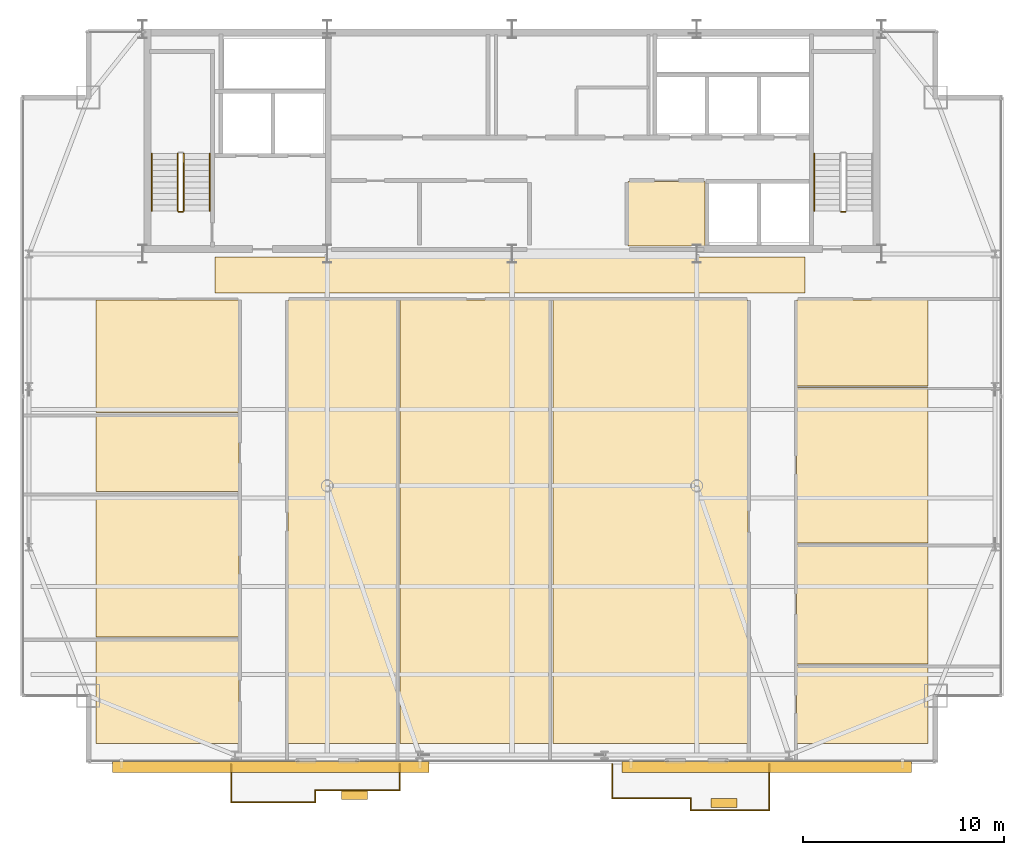
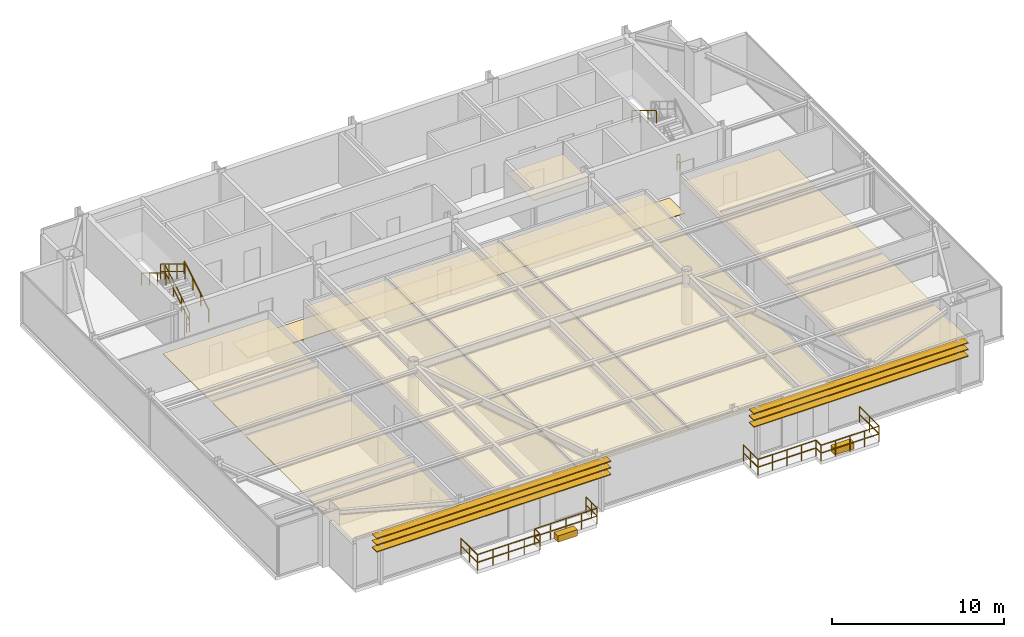
# One storey, part 29 of 30: 17 railings, 15 coverings, 6 shading devices.
"""IFC4 building model written with IfcOpenShell, lengths in metres."""

from ifc_helpers import new_model, si_unit, direction, frame, origin, origin_2d, place, context, subcontext, project, spatial, polyline, rectangle, outline, extrude, source, transform, mapped, material, layer, layer_set, type_object, type_shapes, element, save


model = new_model("IFC4")

# Units and contexts
model_context = context("Model", 3, precision=1e-05, world=origin(), true_north=direction((0.0, 1.0)))
body_context = subcontext(model_context, "Body", "Model", "MODEL_VIEW")
ifc_project = project(units=[si_unit("LENGTHUNIT", "METRE"), si_unit("AREAUNIT", "SQUARE_METRE"), si_unit("VOLUMEUNIT", "CUBIC_METRE"), si_unit("PLANEANGLEUNIT", "RADIAN"), si_unit("MASSUNIT", "GRAM", prefix="KILO")], contexts=[model_context])

# Site, building, storey
site_placement = place(None, origin())
site = spatial("IfcSite", under=ifc_project, at=site_placement, CompositionType="ELEMENT")
building_placement = place(site_placement, origin())
building = spatial("IfcBuilding", under=site, at=building_placement, Name="Varnel Quay Broadcast Tower", CompositionType="ELEMENT")
storey_placement = place(building_placement, frame((0.0, 0.0, 211.199951171875)))
storey = spatial("IfcBuildingStorey", under=building, at=storey_placement, Name="L52", CompositionType="ELEMENT", Elevation=211.199951171875)

# Coverings
ifc_material_1 = material(Name="Micro-Perforated Acoustic Ceiling Tile")
ifc_layer_1 = layer(ifc_material_1, 0.0400390625, Name="Micro-Perforated Acoustic Ceiling Tile")
ifc_layer_set_1 = layer_set([ifc_layer_1], Name="Micro-Perforated Acoustic Ceiling Tile")
covering_type_1 = type_object("IfcCoveringType", Name="Cov_AcousticCeiling", PredefinedType="CEILING", material=ifc_layer_set_1)
covering_1_placement = place(storey_placement, frame((0.0, 0.0, 2.580078125)))
element("IfcCovering", 1, at=covering_1_placement, inside=storey, type_object=covering_type_1, Name="L52 Electrical Sub-Distribution Closet Acoustic Ceiling", PredefinedType="CEILING", context=body_context, shape_type="SweptSolid", body=[
    extrude(outline(polyline([(39.784912109375, 35.985107421875), (43.614990234375, 35.985107421875), (43.614990234375, 39.215087890625), (39.784912109375, 39.215087890625), (39.784912109375, 35.985107421875)])), origin(), (0.0, 0.0, 1.0), 0.0400390625),
])
covering_2_placement = place(storey_placement, frame((0.0, 0.0, 2.580078125)))
element("IfcCovering", 2, at=covering_2_placement, inside=storey, type_object=covering_type_1, Name="L52 Editorial Boardroom 1 Acoustic Ceiling", PredefinedType="CEILING", context=body_context, shape_type="SweptSolid", body=[
    extrude(outline(polyline([(13.284912109375, 11.22509765625), (20.4150390625, 11.22509765625), (20.4150390625, 16.455078125), (13.284912109375, 16.455078125), (13.284912109375, 11.22509765625)])), origin(), (0.0, 0.0, 1.0), 0.0400390625),
])
covering_3_placement = place(storey_placement, frame((0.0, 0.0, 2.580078125)))
element("IfcCovering", 3, at=covering_3_placement, inside=storey, type_object=covering_type_1, Name="L52 Break Kitchen 2 Acoustic Ceiling", PredefinedType="CEILING", context=body_context, shape_type="SweptSolid", body=[
    extrude(outline(polyline([(13.284912109375, 16.52490234375), (20.4150390625, 16.52490234375), (20.4150390625, 23.695068359375), (13.284912109375, 23.695068359375), (13.284912109375, 16.52490234375)])), origin(), (0.0, 0.0, 1.0), 0.0400390625),
])
covering_4_placement = place(storey_placement, frame((0.0, 0.0, 2.580078125)))
element("IfcCovering", 4, at=covering_4_placement, inside=storey, type_object=covering_type_1, Name="L52 Press Green Lounge 3 Acoustic Ceiling", PredefinedType="CEILING", context=body_context, shape_type="SweptSolid", body=[
    extrude(outline(polyline([(13.284912109375, 23.764892578125), (20.4150390625, 23.764892578125), (20.4150390625, 27.625), (13.284912109375, 27.625), (13.284912109375, 23.764892578125)])), origin(), (0.0, 0.0, 1.0), 0.0400390625),
])
covering_5_placement = place(storey_placement, frame((0.0, 0.0, 2.580078125)))
element("IfcCovering", 5, at=covering_5_placement, inside=storey, type_object=covering_type_1, Name="L52 Camera Locker Store 4 Acoustic Ceiling", PredefinedType="CEILING", context=body_context, shape_type="SweptSolid", body=[
    extrude(outline(polyline([(13.284912109375, 27.695068359375), (20.4150390625, 27.695068359375), (20.4150390625, 33.31494140625), (13.284912109375, 33.31494140625), (13.284912109375, 27.695068359375)])), origin(), (0.0, 0.0, 1.0), 0.0400390625),
])
covering_6_placement = place(storey_placement, frame((0.0, 0.0, 2.580078125)))
element("IfcCovering", 6, at=covering_6_placement, inside=storey, type_object=covering_type_1, Name="L52 Broadcast Newsroom 5 Acoustic Ceiling", PredefinedType="CEILING", context=body_context, shape_type="SweptSolid", body=[
    extrude(outline(polyline([(22.8349609375, 11.22509765625), (28.364990234375, 11.22509765625), (28.364990234375, 33.31494140625), (22.8349609375, 33.31494140625), (22.8349609375, 11.22509765625)])), origin(), (0.0, 0.0, 1.0), 0.0400390625),
])
covering_7_placement = place(storey_placement, frame((0.0, 0.0, 2.580078125)))
element("IfcCovering", 7, at=covering_7_placement, inside=storey, type_object=covering_type_1, Name="L52 Assignment Desk 6 Acoustic Ceiling", PredefinedType="CEILING", context=body_context, shape_type="SweptSolid", body=[
    extrude(outline(polyline([(28.43505859375, 11.22509765625), (35.965087890625, 11.22509765625), (35.965087890625, 33.31494140625), (28.43505859375, 33.31494140625), (28.43505859375, 11.22509765625)])), origin(), (0.0, 0.0, 1.0), 0.0400390625),
])
covering_8_placement = place(storey_placement, frame((0.0, 0.0, 2.580078125)))
element("IfcCovering", 8, at=covering_8_placement, inside=storey, type_object=covering_type_1, Name="L52 Editorial Boardroom 7 Acoustic Ceiling", PredefinedType="CEILING", context=body_context, shape_type="SweptSolid", body=[
    extrude(outline(polyline([(36.034912109375, 11.22509765625), (45.7548828125, 11.22509765625), (45.7548828125, 33.31494140625), (36.034912109375, 33.31494140625), (36.034912109375, 11.22509765625)])), origin(), (0.0, 0.0, 1.0), 0.0400390625),
])
covering_9_placement = place(storey_placement, frame((0.0, 0.0, 2.580078125)))
element("IfcCovering", 9, at=covering_9_placement, inside=storey, type_object=covering_type_1, Name="L52 Break Kitchen 8 Acoustic Ceiling", PredefinedType="CEILING", context=body_context, shape_type="SweptSolid", body=[
    extrude(outline(polyline([(48.175048828125, 11.22509765625), (54.715087890625, 11.22509765625), (54.715087890625, 15.114990234375), (48.175048828125, 15.114990234375), (48.175048828125, 11.22509765625)])), origin(), (0.0, 0.0, 1.0), 0.0400390625),
])
covering_10_placement = place(storey_placement, frame((0.0, 0.0, 2.580078125)))
element("IfcCovering", 10, at=covering_10_placement, inside=storey, type_object=covering_type_1, Name="L52 Press Green Lounge 9 Acoustic Ceiling", PredefinedType="CEILING", context=body_context, shape_type="SweptSolid", body=[
    extrude(outline(polyline([(48.175048828125, 15.18505859375), (54.715087890625, 15.18505859375), (54.715087890625, 21.14501953125), (48.175048828125, 21.14501953125), (48.175048828125, 15.18505859375)])), origin(), (0.0, 0.0, 1.0), 0.0400390625),
])
covering_11_placement = place(storey_placement, frame((0.0, 0.0, 2.580078125)))
element("IfcCovering", 11, at=covering_11_placement, inside=storey, type_object=covering_type_1, Name="L52 Camera Locker Store 10 Acoustic Ceiling", PredefinedType="CEILING", context=body_context, shape_type="SweptSolid", body=[
    extrude(outline(polyline([(48.175048828125, 21.215087890625), (54.715087890625, 21.215087890625), (54.715087890625, 28.965087890625), (48.175048828125, 28.965087890625), (48.175048828125, 21.215087890625)])), origin(), (0.0, 0.0, 1.0), 0.0400390625),
])
covering_12_placement = place(storey_placement, frame((0.0, 0.0, 2.580078125)))
element("IfcCovering", 12, at=covering_12_placement, inside=storey, type_object=covering_type_1, Name="L52 Broadcast Newsroom 11 Acoustic Ceiling", PredefinedType="CEILING", context=body_context, shape_type="SweptSolid", body=[
    extrude(outline(polyline([(48.175048828125, 29.034912109375), (54.715087890625, 29.034912109375), (54.715087890625, 33.31494140625), (48.175048828125, 33.31494140625), (48.175048828125, 29.034912109375)])), origin(), (0.0, 0.0, 1.0), 0.0400390625),
])
ifc_material_2 = material(Name="Polished Terrazzo & Broadcast Raised Flooring")
ifc_layer_2 = layer(ifc_material_2, 0.0400390625, Name="Polished Terrazzo & Broadcast Raised Flooring")
ifc_layer_set_2 = layer_set([ifc_layer_2], Name="Polished Terrazzo & Broadcast Raised Flooring")
covering_type_2 = type_object("IfcCoveringType", Name="Cov_TerrazzoFloor", PredefinedType="FLOORING", material=ifc_layer_set_2)
covering_13_placement = place(storey_placement, origin())
element("IfcCovering", 13, at=covering_13_placement, inside=storey, type_object=covering_type_2, Name="L52 Corridor Terrazzo Flooring", PredefinedType="FLOORING", context=body_context, shape_type="SweptSolid", body=[
    extrude(outline(polyline([(19.199951171875, 33.64990234375), (48.60009765625, 33.64990234375), (48.60009765625, 35.449951171875), (19.199951171875, 35.449951171875), (19.199951171875, 33.64990234375)])), origin(), (0.0, 0.0, 1.0), 0.0400390625),
])

# Railings
ifc_material_3 = material(Name="Anodised Bronze Aluminium 6063-T6", Category="aluminium")
railing_type_1 = type_object("IfcRailingType", Name="Rail_Balustrade1150", PredefinedType="BALUSTRADE", material=ifc_material_3)
railing_1_placement = place(storey_placement, frame((20.010009765625, 8.297119140625, 0.0)))
element("IfcRailing", 14, at=railing_1_placement, inside=storey, type_object=railing_type_1, Name="L52 Terrace 1 Guard 1", PredefinedType="BALUSTRADE", context=body_context, shape_type="SweptSolid", body=[
    extrude(rectangle(XDim=0.048095703125, YDim=0.048095703125, at=origin_2d()), frame((0.0, 0.0, 1.1259765625), z_axis=(1.0, 0.0, 0.0), x_axis=(0.0, 1.0, 0.0)), (0.0, 0.0, 1.0), 4.199951171875),
    extrude(rectangle(XDim=0.048095703125, YDim=0.048095703125, at=origin_2d()), frame((0.0, 0.0, 0.574951171875), z_axis=(1.0, 0.0, 0.0), x_axis=(0.0, 1.0, 0.0)), (0.0, 0.0, 1.0), 4.199951171875),
    extrude(rectangle(XDim=0.0419921875, YDim=0.0419921875, at=origin_2d()), origin(), (0.0, 0.0, 1.0), 1.101806640625),
    extrude(rectangle(XDim=0.0419921875, YDim=0.0419921875, at=origin_2d()), frame((1.050048828125, 0.0, 0.0)), (0.0, 0.0, 1.0), 1.101806640625),
    extrude(rectangle(XDim=0.0419921875, YDim=0.0419921875, at=origin_2d()), frame((2.10009765625, 0.0, 0.0)), (0.0, 0.0, 1.0), 1.101806640625),
    extrude(rectangle(XDim=0.0419921875, YDim=0.0419921875, at=origin_2d()), frame((3.14990234375, 0.0, 0.0)), (0.0, 0.0, 1.0), 1.101806640625),
    extrude(rectangle(XDim=0.0419921875, YDim=0.0419921875, at=origin_2d()), frame((4.199951171875, 0.0, 0.0)), (0.0, 0.0, 1.0), 1.101806640625),
])
railing_2_placement = place(storey_placement, frame((24.2099609375, 8.297119140625, 0.0)))
element("IfcRailing", 15, at=railing_2_placement, inside=storey, type_object=railing_type_1, Name="L52 Terrace 1 Guard 2", PredefinedType="BALUSTRADE", context=body_context, shape_type="SweptSolid", body=[
    extrude(rectangle(XDim=0.048095703125, YDim=0.048095703125, at=origin_2d()), frame((0.0, 0.0, 1.1259765625), z_axis=(0.0, 1.0, 0.0), x_axis=(-1.0, 0.0, 0.0)), (0.0, 0.0, 1.0), 0.599853515625),
    extrude(rectangle(XDim=0.048095703125, YDim=0.048095703125, at=origin_2d()), frame((0.0, 0.0, 0.574951171875), z_axis=(0.0, 1.0, 0.0), x_axis=(-1.0, 0.0, 0.0)), (0.0, 0.0, 1.0), 0.599853515625),
    extrude(rectangle(XDim=0.0419921875, YDim=0.0419921875, at=origin_2d()), origin(), (0.0, 0.0, 1.0), 1.101806640625),
    extrude(rectangle(XDim=0.0419921875, YDim=0.0419921875, at=origin_2d()), frame((0.0, 0.599853515625, 0.0)), (0.0, 0.0, 1.0), 1.101806640625),
])
railing_3_placement = place(storey_placement, frame((24.2099609375, 8.89697265625, 0.0)))
element("IfcRailing", 16, at=railing_3_placement, inside=storey, type_object=railing_type_1, Name="L52 Terrace 1 Guard 3", PredefinedType="BALUSTRADE", context=body_context, shape_type="SweptSolid", body=[
    extrude(rectangle(XDim=0.048095703125, YDim=0.048095703125, at=origin_2d()), frame((0.0, 0.0, 1.1259765625), z_axis=(1.0, 0.0, 0.0), x_axis=(0.0, 1.0, 0.0)), (0.0, 0.0, 1.0), 4.199951171875),
    extrude(rectangle(XDim=0.048095703125, YDim=0.048095703125, at=origin_2d()), frame((0.0, 0.0, 0.574951171875), z_axis=(1.0, 0.0, 0.0), x_axis=(0.0, 1.0, 0.0)), (0.0, 0.0, 1.0), 4.199951171875),
    extrude(rectangle(XDim=0.0419921875, YDim=0.0419921875, at=origin_2d()), origin(), (0.0, 0.0, 1.0), 1.101806640625),
    extrude(rectangle(XDim=0.0419921875, YDim=0.0419921875, at=origin_2d()), frame((1.050048828125, 0.0, 0.0)), (0.0, 0.0, 1.0), 1.101806640625),
    extrude(rectangle(XDim=0.0419921875, YDim=0.0419921875, at=origin_2d()), frame((2.10009765625, 0.0, 0.0)), (0.0, 0.0, 1.0), 1.101806640625),
    extrude(rectangle(XDim=0.0419921875, YDim=0.0419921875, at=origin_2d()), frame((3.14990234375, 0.0, 0.0)), (0.0, 0.0, 1.0), 1.101806640625),
    extrude(rectangle(XDim=0.0419921875, YDim=0.0419921875, at=origin_2d()), frame((4.199951171875, 0.0, 0.0)), (0.0, 0.0, 1.0), 1.101806640625),
])
railing_4_placement = place(storey_placement, frame((28.409912109375, 8.89697265625, 0.0)))
element("IfcRailing", 17, at=railing_4_placement, inside=storey, type_object=railing_type_1, Name="L52 Terrace 1 Guard 4", PredefinedType="BALUSTRADE", context=body_context, shape_type="SweptSolid", body=[
    extrude(rectangle(XDim=0.048095703125, YDim=0.048095703125, at=origin_2d()), frame((0.0, 0.0, 1.1259765625), z_axis=(0.0, 1.0, 0.0), x_axis=(-1.0, 0.0, 0.0)), (0.0, 0.0, 1.0), 1.302978515625),
    extrude(rectangle(XDim=0.048095703125, YDim=0.048095703125, at=origin_2d()), frame((0.0, 0.0, 0.574951171875), z_axis=(0.0, 1.0, 0.0), x_axis=(-1.0, 0.0, 0.0)), (0.0, 0.0, 1.0), 1.302978515625),
    extrude(rectangle(XDim=0.0419921875, YDim=0.0419921875, at=origin_2d()), origin(), (0.0, 0.0, 1.0), 1.101806640625),
    extrude(rectangle(XDim=0.0419921875, YDim=0.0419921875, at=origin_2d()), frame((0.0, 0.6513671875, 0.0)), (0.0, 0.0, 1.0), 1.101806640625),
    extrude(rectangle(XDim=0.0419921875, YDim=0.0419921875, at=origin_2d()), frame((0.0, 1.302978515625, 0.0)), (0.0, 0.0, 1.0), 1.101806640625),
])
railing_5_placement = place(storey_placement, frame((20.010009765625, 10.199951171875, 0.0)))
element("IfcRailing", 18, at=railing_5_placement, inside=storey, type_object=railing_type_1, Name="L52 Terrace 1 Guard 6", PredefinedType="BALUSTRADE", context=body_context, shape_type="SweptSolid", body=[
    extrude(rectangle(XDim=0.048095703125, YDim=0.048095703125, at=origin_2d()), frame((0.0, 0.0, 1.1259765625), z_axis=(0.0, -1.0, 0.0), x_axis=(1.0, 0.0, 0.0)), (0.0, 0.0, 1.0), 1.90283203125),
    extrude(rectangle(XDim=0.048095703125, YDim=0.048095703125, at=origin_2d()), frame((0.0, 0.0, 0.574951171875), z_axis=(0.0, -1.0, 0.0), x_axis=(1.0, 0.0, 0.0)), (0.0, 0.0, 1.0), 1.90283203125),
    extrude(rectangle(XDim=0.0419921875, YDim=0.0419921875, at=origin_2d()), origin(), (0.0, 0.0, 1.0), 1.101806640625),
    extrude(rectangle(XDim=0.0419921875, YDim=0.0419921875, at=origin_2d()), frame((0.0, -0.951416015625, 0.0)), (0.0, 0.0, 1.0), 1.101806640625),
    extrude(rectangle(XDim=0.0419921875, YDim=0.0419921875, at=origin_2d()), frame((0.0, -1.90283203125, 0.0)), (0.0, 0.0, 1.0), 1.101806640625),
])
railing_6_placement = place(storey_placement, frame((39.0, 8.5029296875, 0.0)))
element("IfcRailing", 19, at=railing_6_placement, inside=storey, type_object=railing_type_1, Name="L52 Terrace 2 Guard 1", PredefinedType="BALUSTRADE", context=body_context, shape_type="SweptSolid", body=[
    extrude(rectangle(XDim=0.048095703125, YDim=0.048095703125, at=origin_2d()), frame((0.0, 0.0, 1.1259765625), z_axis=(1.0, 0.0, 0.0), x_axis=(0.0, 1.0, 0.0)), (0.0, 0.0, 1.0), 3.905029296875),
    extrude(rectangle(XDim=0.048095703125, YDim=0.048095703125, at=origin_2d()), frame((0.0, 0.0, 0.574951171875), z_axis=(1.0, 0.0, 0.0), x_axis=(0.0, 1.0, 0.0)), (0.0, 0.0, 1.0), 3.905029296875),
    extrude(rectangle(XDim=0.0419921875, YDim=0.0419921875, at=origin_2d()), origin(), (0.0, 0.0, 1.0), 1.101806640625),
    extrude(rectangle(XDim=0.0419921875, YDim=0.0419921875, at=origin_2d()), frame((0.976318359375, 0.0, 0.0)), (0.0, 0.0, 1.0), 1.101806640625),
    extrude(rectangle(XDim=0.0419921875, YDim=0.0419921875, at=origin_2d()), frame((1.95263671875, 0.0, 0.0)), (0.0, 0.0, 1.0), 1.101806640625),
    extrude(rectangle(XDim=0.0419921875, YDim=0.0419921875, at=origin_2d()), frame((2.9287109375, 0.0, 0.0)), (0.0, 0.0, 1.0), 1.101806640625),
    extrude(rectangle(XDim=0.0419921875, YDim=0.0419921875, at=origin_2d()), frame((3.905029296875, 0.0, 0.0)), (0.0, 0.0, 1.0), 1.101806640625),
])
railing_7_placement = place(storey_placement, frame((42.905029296875, 8.5029296875, 0.0)))
element("IfcRailing", 20, at=railing_7_placement, inside=storey, type_object=railing_type_1, Name="L52 Terrace 2 Guard 2", PredefinedType="BALUSTRADE", context=body_context, shape_type="SweptSolid", body=[
    extrude(rectangle(XDim=0.048095703125, YDim=0.048095703125, at=origin_2d()), frame((0.0, 0.0, 1.1259765625), z_axis=(0.0, -1.0, 0.0), x_axis=(1.0, 0.0, 0.0)), (0.0, 0.0, 1.0), 0.599853515625),
    extrude(rectangle(XDim=0.048095703125, YDim=0.048095703125, at=origin_2d()), frame((0.0, 0.0, 0.574951171875), z_axis=(0.0, -1.0, 0.0), x_axis=(1.0, 0.0, 0.0)), (0.0, 0.0, 1.0), 0.599853515625),
    extrude(rectangle(XDim=0.0419921875, YDim=0.0419921875, at=origin_2d()), origin(), (0.0, 0.0, 1.0), 1.101806640625),
    extrude(rectangle(XDim=0.0419921875, YDim=0.0419921875, at=origin_2d()), frame((0.0, -0.599853515625, 0.0)), (0.0, 0.0, 1.0), 1.101806640625),
])
railing_8_placement = place(storey_placement, frame((42.905029296875, 7.903076171875, 0.0)))
element("IfcRailing", 21, at=railing_8_placement, inside=storey, type_object=railing_type_1, Name="L52 Terrace 2 Guard 3", PredefinedType="BALUSTRADE", context=body_context, shape_type="SweptSolid", body=[
    extrude(rectangle(XDim=0.048095703125, YDim=0.048095703125, at=origin_2d()), frame((0.0, 0.0, 1.1259765625), z_axis=(1.0, 0.0, 0.0), x_axis=(0.0, 1.0, 0.0)), (0.0, 0.0, 1.0), 3.905029296875),
    extrude(rectangle(XDim=0.048095703125, YDim=0.048095703125, at=origin_2d()), frame((0.0, 0.0, 0.574951171875), z_axis=(1.0, 0.0, 0.0), x_axis=(0.0, 1.0, 0.0)), (0.0, 0.0, 1.0), 3.905029296875),
    extrude(rectangle(XDim=0.0419921875, YDim=0.0419921875, at=origin_2d()), origin(), (0.0, 0.0, 1.0), 1.101806640625),
    extrude(rectangle(XDim=0.0419921875, YDim=0.0419921875, at=origin_2d()), frame((0.976318359375, 0.0, 0.0)), (0.0, 0.0, 1.0), 1.101806640625),
    extrude(rectangle(XDim=0.0419921875, YDim=0.0419921875, at=origin_2d()), frame((1.95263671875, 0.0, 0.0)), (0.0, 0.0, 1.0), 1.101806640625),
    extrude(rectangle(XDim=0.0419921875, YDim=0.0419921875, at=origin_2d()), frame((2.9287109375, 0.0, 0.0)), (0.0, 0.0, 1.0), 1.101806640625),
    extrude(rectangle(XDim=0.0419921875, YDim=0.0419921875, at=origin_2d()), frame((3.905029296875, 0.0, 0.0)), (0.0, 0.0, 1.0), 1.101806640625),
])
railing_9_placement = place(storey_placement, frame((46.81005859375, 7.903076171875, 0.0)))
element("IfcRailing", 22, at=railing_9_placement, inside=storey, type_object=railing_type_1, Name="L52 Terrace 2 Guard 4", PredefinedType="BALUSTRADE", context=body_context, shape_type="SweptSolid", body=[
    extrude(rectangle(XDim=0.048095703125, YDim=0.048095703125, at=origin_2d()), frame((0.0, 0.0, 1.1259765625), z_axis=(0.0, 1.0, 0.0), x_axis=(-1.0, 0.0, 0.0)), (0.0, 0.0, 1.0), 2.296875),
    extrude(rectangle(XDim=0.048095703125, YDim=0.048095703125, at=origin_2d()), frame((0.0, 0.0, 0.574951171875), z_axis=(0.0, 1.0, 0.0), x_axis=(-1.0, 0.0, 0.0)), (0.0, 0.0, 1.0), 2.296875),
    extrude(rectangle(XDim=0.0419921875, YDim=0.0419921875, at=origin_2d()), origin(), (0.0, 0.0, 1.0), 1.101806640625),
    extrude(rectangle(XDim=0.0419921875, YDim=0.0419921875, at=origin_2d()), frame((0.0, 1.1484375, 0.0)), (0.0, 0.0, 1.0), 1.101806640625),
    extrude(rectangle(XDim=0.0419921875, YDim=0.0419921875, at=origin_2d()), frame((0.0, 2.296875, 0.0)), (0.0, 0.0, 1.0), 1.101806640625),
])
railing_10_placement = place(storey_placement, frame((39.0, 10.199951171875, 0.0)))
element("IfcRailing", 23, at=railing_10_placement, inside=storey, type_object=railing_type_1, Name="L52 Terrace 2 Guard 6", PredefinedType="BALUSTRADE", context=body_context, shape_type="SweptSolid", body=[
    extrude(rectangle(XDim=0.048095703125, YDim=0.048095703125, at=origin_2d()), frame((0.0, 0.0, 1.1259765625), z_axis=(0.0, -1.0, 0.0), x_axis=(1.0, 0.0, 0.0)), (0.0, 0.0, 1.0), 1.697021484375),
    extrude(rectangle(XDim=0.048095703125, YDim=0.048095703125, at=origin_2d()), frame((0.0, 0.0, 0.574951171875), z_axis=(0.0, -1.0, 0.0), x_axis=(1.0, 0.0, 0.0)), (0.0, 0.0, 1.0), 1.697021484375),
    extrude(rectangle(XDim=0.0419921875, YDim=0.0419921875, at=origin_2d()), origin(), (0.0, 0.0, 1.0), 1.101806640625),
    extrude(rectangle(XDim=0.0419921875, YDim=0.0419921875, at=origin_2d()), frame((0.0, -0.8486328125, 0.0)), (0.0, 0.0, 1.0), 1.101806640625),
    extrude(rectangle(XDim=0.0419921875, YDim=0.0419921875, at=origin_2d()), frame((0.0, -1.697021484375, 0.0)), (0.0, 0.0, 1.0), 1.101806640625),
])
ifc_material_4 = material(Name="Painted Steel Guard and Handrail CSA G40.21 350W", Category="steel")
railing_type_2 = type_object("IfcRailingType", Name="Rail_StairGuard1100", PredefinedType="GUARDRAIL", material=ifc_material_4)
railing_11_placement = place(storey_placement, frame((17.64990234375, 37.75, 0.1728515625)))
element("IfcRailing", 24, at=railing_11_placement, inside=storey, type_object=railing_type_2, Name="L52 ST-01 stair guard 1", PredefinedType="GUARDRAIL", context=body_context, shape_type="SweptSolid", body=[
    extrude(rectangle(XDim=0.048095703125, YDim=0.048095703125, at=origin_2d()), frame((0.0, 0.0, 1.076171875), z_axis=(0.0, 0.855202751398, 0.518293598264), x_axis=(-1.0, 0.0, 0.0)), (0.0, 0.0, 1.0), 3.332763671875),
    extrude(rectangle(XDim=0.048095703125, YDim=0.048095703125, at=origin_2d()), frame((0.0, 0.0, 0.550048828125), z_axis=(0.0, 0.855202751398, 0.518293598264), x_axis=(-1.0, 0.0, 0.0)), (0.0, 0.0, 1.0), 3.332763671875),
    extrude(rectangle(XDim=0.0419921875, YDim=0.0419921875, at=origin_2d()), origin(), (0.0, 0.0, 1.0), 1.052001953125),
    extrude(rectangle(XDim=0.0419921875, YDim=0.0419921875, at=origin_2d()), frame((0.0, 0.949951171875, 0.57568359375)), (0.0, 0.0, 1.0), 1.052001953125),
    extrude(rectangle(XDim=0.0419921875, YDim=0.0419921875, at=origin_2d()), frame((0.0, 1.900146484375, 1.151611328125)), (0.0, 0.0, 1.0), 1.052001953125),
    extrude(rectangle(XDim=0.0419921875, YDim=0.0419921875, at=origin_2d()), frame((0.0, 2.85009765625, 1.727294921875)), (0.0, 0.0, 1.0), 1.052001953125),
])
railing_12_placement = place(storey_placement, frame((17.35009765625, 40.60009765625, 2.07275390625)))
element("IfcRailing", 25, at=railing_12_placement, inside=storey, type_object=railing_type_2, Name="L52 ST-01 stair guard 3", PredefinedType="GUARDRAIL", context=body_context, shape_type="SweptSolid", body=[
    extrude(rectangle(XDim=0.048095703125, YDim=0.048095703125, at=origin_2d()), frame((0.0, 0.0, 1.076171875), z_axis=(0.0, -0.855202751398, 0.518293598264), x_axis=(1.0, 0.0, 0.0)), (0.0, 0.0, 1.0), 3.332763671875),
    extrude(rectangle(XDim=0.048095703125, YDim=0.048095703125, at=origin_2d()), frame((0.0, 0.0, 0.550048828125), z_axis=(0.0, -0.855202751398, 0.518293598264), x_axis=(1.0, 0.0, 0.0)), (0.0, 0.0, 1.0), 3.332763671875),
    extrude(rectangle(XDim=0.0419921875, YDim=0.0419921875, at=origin_2d()), origin(), (0.0, 0.0, 1.0), 1.052001953125),
    extrude(rectangle(XDim=0.0419921875, YDim=0.0419921875, at=origin_2d()), frame((0.0, -0.949951171875, 0.57568359375)), (0.0, 0.0, 1.0), 1.052001953125),
    extrude(rectangle(XDim=0.0419921875, YDim=0.0419921875, at=origin_2d()), frame((0.0, -1.900146484375, 1.151611328125)), (0.0, 0.0, 1.0), 1.052001953125),
    extrude(rectangle(XDim=0.0419921875, YDim=0.0419921875, at=origin_2d()), frame((0.0, -2.85009765625, 1.727294921875)), (0.0, 0.0, 1.0), 1.052001953125),
])
for number, where, name in (
    (26, (17.60009765625, 37.699951171875, 0.0), "L52 ST-01 stair guard 4"),
    (27, (50.60009765625, 37.699951171875, 0.0), "L52 ST-02 stair guard 4"),
):
    element("IfcRailing", number, at=place(storey_placement, frame(where)), inside=storey, type_object=railing_type_2, Name=name, PredefinedType="GUARDRAIL", context=body_context, shape_type="SweptSolid", body=[
        extrude(rectangle(XDim=0.048095703125, YDim=0.048095703125, at=origin_2d()), frame((0.0, 0.0, 1.076171875), z_axis=(-1.0, 0.0, 0.0), x_axis=(0.0, -1.0, 0.0)), (0.0, 0.0, 1.0), 0.2001953125),
        extrude(rectangle(XDim=0.048095703125, YDim=0.048095703125, at=origin_2d()), frame((0.0, 0.0, 0.550048828125), z_axis=(-1.0, 0.0, 0.0), x_axis=(0.0, -1.0, 0.0)), (0.0, 0.0, 1.0), 0.2001953125),
        extrude(rectangle(XDim=0.0419921875, YDim=0.0419921875, at=origin_2d()), origin(), (0.0, 0.0, 1.0), 1.052001953125),
        extrude(rectangle(XDim=0.0419921875, YDim=0.0419921875, at=origin_2d()), frame((-0.2001953125, 0.0, 0.0)), (0.0, 0.0, 1.0), 1.052001953125),
    ])
railing_type_3 = type_object("IfcRailingType", Name="Rail_StairHandrail900", PredefinedType="HANDRAIL", material=ifc_material_4)
railing_13_placement = place(storey_placement, frame((18.949951171875, 37.75, 0.1728515625)))
element("IfcRailing", 28, at=railing_13_placement, inside=storey, type_object=railing_type_3, Name="L52 ST-01 stair handrail 1", PredefinedType="HANDRAIL", context=body_context, shape_type="SweptSolid", body=[
    extrude(rectangle(XDim=0.048095703125, YDim=0.048095703125, at=origin_2d()), frame((0.0, 0.0, 0.8759765625), z_axis=(0.0, 0.855202751398, 0.518293598264), x_axis=(-1.0, 0.0, 0.0)), (0.0, 0.0, 1.0), 3.332763671875),
    extrude(rectangle(XDim=0.0419921875, YDim=0.0419921875, at=origin_2d()), origin(), (0.0, 0.0, 1.0), 0.851806640625),
    extrude(rectangle(XDim=0.0419921875, YDim=0.0419921875, at=origin_2d()), frame((0.0, 0.949951171875, 0.57568359375)), (0.0, 0.0, 1.0), 0.851806640625),
    extrude(rectangle(XDim=0.0419921875, YDim=0.0419921875, at=origin_2d()), frame((0.0, 1.900146484375, 1.151611328125)), (0.0, 0.0, 1.0), 0.851806640625),
    extrude(rectangle(XDim=0.0419921875, YDim=0.0419921875, at=origin_2d()), frame((0.0, 2.85009765625, 1.727294921875)), (0.0, 0.0, 1.0), 0.851806640625),
])
for number, where, name in (
    (29, (16.050048828125, 40.60009765625, 2.07275390625), "L52 ST-01 stair handrail 2"),
    (30, (49.050048828125, 40.60009765625, 2.07275390625), "L52 ST-02 stair handrail 2"),
):
    element("IfcRailing", number, at=place(storey_placement, frame(where)), inside=storey, type_object=railing_type_3, Name=name, PredefinedType="HANDRAIL", context=body_context, shape_type="SweptSolid", body=[
        extrude(rectangle(XDim=0.048095703125, YDim=0.048095703125, at=origin_2d()), frame((0.0, 0.0, 0.8759765625), z_axis=(0.0, -0.855202751398, 0.518293598264), x_axis=(1.0, 0.0, 0.0)), (0.0, 0.0, 1.0), 3.332763671875),
        extrude(rectangle(XDim=0.0419921875, YDim=0.0419921875, at=origin_2d()), origin(), (0.0, 0.0, 1.0), 0.851806640625),
        extrude(rectangle(XDim=0.0419921875, YDim=0.0419921875, at=origin_2d()), frame((0.0, -0.949951171875, 0.57568359375)), (0.0, 0.0, 1.0), 0.851806640625),
        extrude(rectangle(XDim=0.0419921875, YDim=0.0419921875, at=origin_2d()), frame((0.0, -1.900146484375, 1.151611328125)), (0.0, 0.0, 1.0), 0.851806640625),
        extrude(rectangle(XDim=0.0419921875, YDim=0.0419921875, at=origin_2d()), frame((0.0, -2.85009765625, 1.727294921875)), (0.0, 0.0, 1.0), 0.851806640625),
    ])

# Coverings
ifc_material_5 = material(Name="Bronze-Terracotta Extruded Ceramic Blade", Category="masonry")
ifc_layer_3 = layer(ifc_material_5, 0.449951171875, Name="Bronze-Terracotta Extruded Ceramic Blade")
ifc_layer_set_3 = layer_set([ifc_layer_3], Name="Bronze-Terracotta Extruded Ceramic Blade")
covering_type_3 = type_object("IfcCoveringType", Name="Cov_BronzePlanter", PredefinedType="CLADDING", material=ifc_layer_set_3)
shared_shape_1 = source(origin(), body_context, "Body", "SweptSolid", [
    extrude(rectangle(XDim=1.300048828125, YDim=0.449951171875, at=origin_2d()), origin(), (0.0, 0.0, 1.0), 0.449951171875),
])
type_shapes(covering_type_3, [shared_shape_1])
for number, where, z_axis, x_axis, name in (
    (31, (26.14990234375, 8.64697265625, 0.0), (0.0, 0.0, 1.0), (1.0, 0.0, 0.0), "L52 Terrace 1 Bronze Planter"),
    (32, (44.550048828125, 8.2529296875, 0.0), (0.0, 0.0, 1.0), (1.0, 0.0, 0.0), "L52 Terrace 2 Bronze Planter"),
):
    element("IfcCovering", number, at=place(storey_placement, frame(where, z_axis=z_axis, x_axis=x_axis)), inside=storey, type_object=covering_type_3, Name=name, PredefinedType="CLADDING", context=body_context, shape_type="MappedRepresentation", body=[
        mapped(shared_shape_1, transform((0.0, 0.0, 0.0), x_axis=(1.0, 0.0, 0.0), y_axis=(0.0, 1.0, 0.0), z_axis=(0.0, 0.0, 1.0), scale=1.0)),
    ])

# Shading devices
ifc_layer_4 = layer(ifc_material_5, 0.06494140625, Name="Bronze-Terracotta Extruded Ceramic Blade")
ifc_layer_set_4 = layer_set([ifc_layer_4], Name="Bronze-Terracotta Extruded Ceramic Blade")
shading_device_type = type_object("IfcShadingDeviceType", Name="Shade_LouvreBlade550", PredefinedType="JALOUSIE", material=ifc_layer_set_4)
shared_shape_2 = source(origin(), body_context, "Body", "SweptSolid", [
    extrude(rectangle(XDim=15.76904296875, YDim=0.550048828125, at=origin_2d()), origin(), (0.0, 0.0, 1.0), 0.06494140625),
])
for number, where, z_axis, x_axis, name in (
    (33, (21.985107421875, 10.06005859375, 2.447509765625), (0.0, 0.0, 1.0), (1.0, 0.0, 0.0), "L52 Lobe 1 Horizontal Louvre Blade 1"),
    (34, (21.985107421875, 10.06005859375, 2.927490234375), (0.0, 0.0, 1.0), (1.0, 0.0, 0.0), "L52 Lobe 1 Horizontal Louvre Blade 2"),
    (35, (21.985107421875, 10.06005859375, 3.3876953125), (0.0, 0.0, 1.0), (1.0, 0.0, 0.0), "L52 Lobe 1 Horizontal Louvre Blade 3"),
):
    element("IfcShadingDevice", number, at=place(storey_placement, frame(where, z_axis=z_axis, x_axis=x_axis)), inside=storey, type_object=shading_device_type, Name=name, PredefinedType="JALOUSIE", context=body_context, shape_type="MappedRepresentation", body=[
        mapped(shared_shape_2, transform((0.0, 0.0, 0.0), x_axis=(1.0, 0.0, 0.0), y_axis=(0.0, 1.0, 0.0), z_axis=(0.0, 0.0, 1.0), scale=1.0)),
    ])
shared_shape_3 = source(origin(), body_context, "Body", "SweptSolid", [
    extrude(rectangle(XDim=14.430908203125, YDim=0.550048828125, at=origin_2d()), origin(), (0.0, 0.0, 1.0), 0.06494140625),
])
type_shapes(shading_device_type, [shared_shape_2, shared_shape_3])
for number, where, z_axis, x_axis, name in (
    (36, (46.68408203125, 10.06005859375, 2.447509765625), (0.0, 0.0, 1.0), (1.0, 0.0, 0.0), "L52 Lobe 2 Horizontal Louvre Blade 1"),
    (37, (46.68408203125, 10.06005859375, 2.927490234375), (0.0, 0.0, 1.0), (1.0, 0.0, 0.0), "L52 Lobe 2 Horizontal Louvre Blade 2"),
    (38, (46.68408203125, 10.06005859375, 3.3876953125), (0.0, 0.0, 1.0), (1.0, 0.0, 0.0), "L52 Lobe 2 Horizontal Louvre Blade 3"),
):
    element("IfcShadingDevice", number, at=place(storey_placement, frame(where, z_axis=z_axis, x_axis=x_axis)), inside=storey, type_object=shading_device_type, Name=name, PredefinedType="JALOUSIE", context=body_context, shape_type="MappedRepresentation", body=[
        mapped(shared_shape_3, transform((0.0, 0.0, 0.0), x_axis=(1.0, 0.0, 0.0), y_axis=(0.0, 1.0, 0.0), z_axis=(0.0, 0.0, 1.0), scale=1.0)),
    ])

save(model, "model.ifc")
